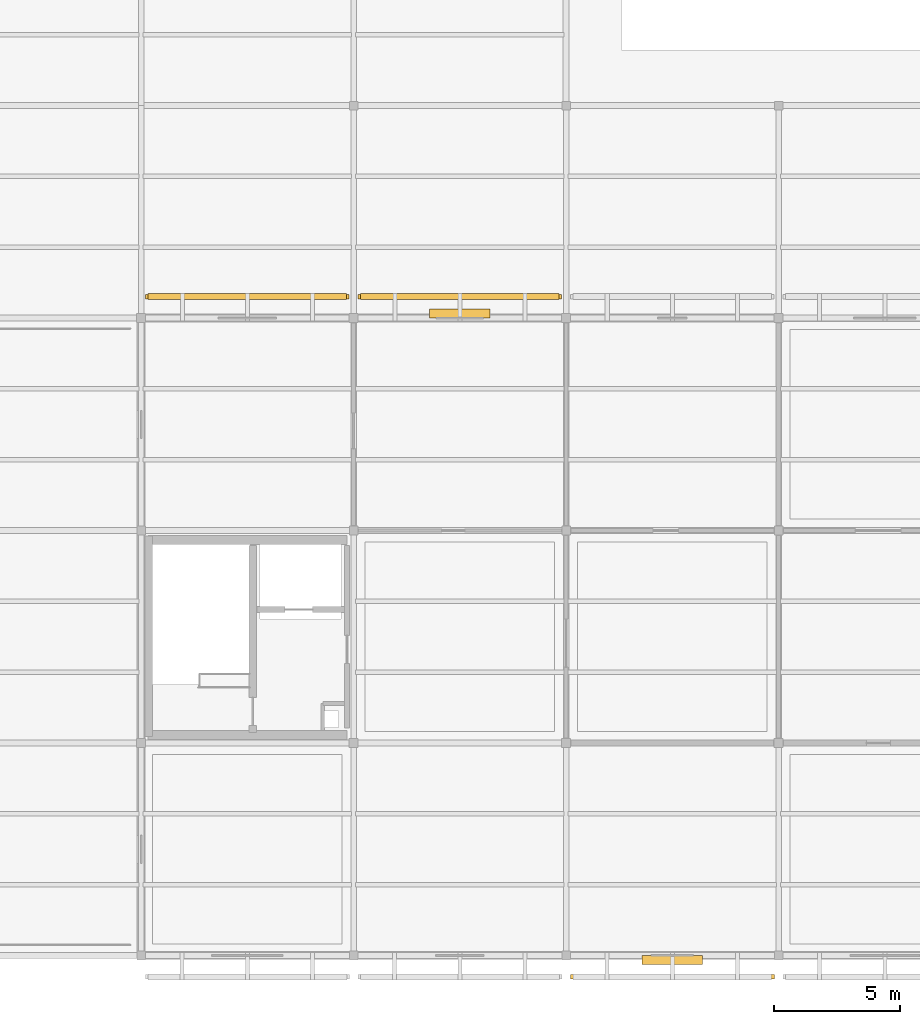
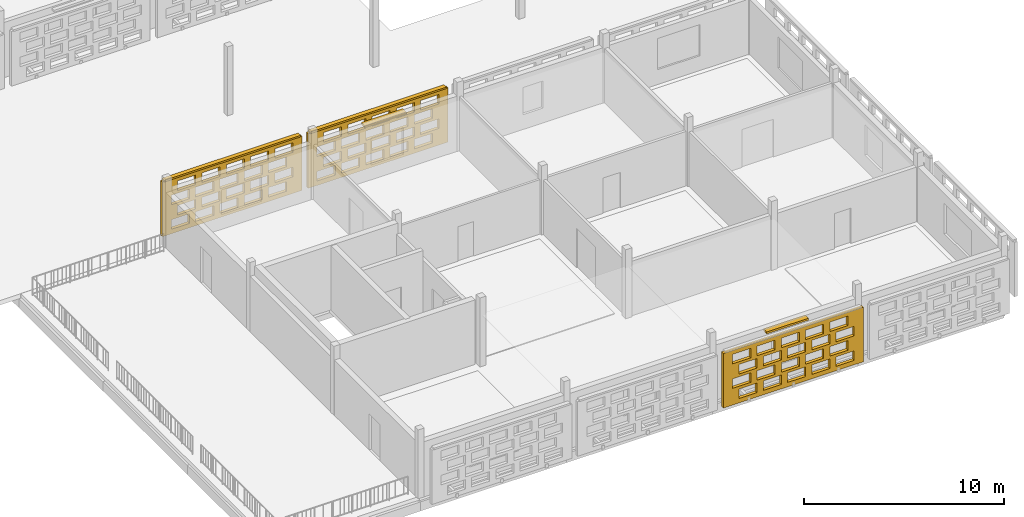
# One storey, part 81 of 103: 4 shading devices, 3 coverings, 60 openings.
"""IFC4 building model written with IfcOpenShell, lengths in metres."""

from ifc_helpers import new_model, si_unit, direction, frame, frame_2d, origin, origin_2d, place, context, subcontext, project, spatial, rectangle, extrude, material, layer, layer_set, type_object, element, save


model = new_model("IFC4")

# Units and contexts
model_context = context("Model", 3, precision=1e-05, world=origin(), true_north=direction((0.0, 1.0)))
body_context = subcontext(model_context, "Body", "Model", "MODEL_VIEW")
ifc_project = project(units=[si_unit("LENGTHUNIT", "METRE"), si_unit("AREAUNIT", "SQUARE_METRE"), si_unit("VOLUMEUNIT", "CUBIC_METRE"), si_unit("PLANEANGLEUNIT", "RADIAN"), si_unit("MASSUNIT", "GRAM", prefix="KILO")], contexts=[model_context])

# Site, building, storey
site_placement = place(None, origin())
site = spatial("IfcSite", under=ifc_project, at=site_placement, CompositionType="ELEMENT")
building_placement = place(site_placement, origin())
building = spatial("IfcBuilding", under=site, at=building_placement, Name="Varnapada Polytechnic", CompositionType="ELEMENT")
storey_placement = place(building_placement, frame((0.0, 0.0, 18.0)))
storey = spatial("IfcBuildingStorey", under=building, at=storey_placement, Name="L04", CompositionType="ELEMENT", Elevation=18.0)

# Shading devices
ifc_material_1 = material(Name="Anodised aluminium", Category="aluminium")
ifc_layer_1 = layer(ifc_material_1, 0.35009765625)
ifc_layer_set_1 = layer_set([ifc_layer_1], Name="Anodised aluminium")
shading_device_type_1 = type_object("IfcShadingDeviceType", Name="Solar Louvre LVR-01", PredefinedType="JALOUSIE", material=ifc_layer_set_1)
for number, where, z_axis, x_axis, name in (
    (1, (29.39990234375, 33.780029296875, 3.159912109375), (0.0, 0.0, 1.0), (1.0, 0.0, 0.0), "L04 aluminium sun louvre 22"),
    (2, (37.800048828125, 8.219970703125, 3.159912109375), (0.0, 0.0, 1.0), (-1.0, 0.0, 0.0), "L04 aluminium sun louvre 34"),
):
    element("IfcShadingDevice", number, at=place(storey_placement, frame(where, z_axis=z_axis, x_axis=x_axis)), inside=storey, type_object=shading_device_type_1, Name=name, PredefinedType="JALOUSIE", context=body_context, shape_type="SweptSolid", body=[
        extrude(rectangle(XDim=2.39990234375, YDim=0.340087890625, at=origin_2d()), origin(), (0.0, 0.0, 1.0), 0.1201171875),
    ])

# Covering, openings
ifc_material_2 = material(Name="Earth-toned architectural terracotta screen block", Category="masonry")
ifc_layer_2 = layer(ifc_material_2, 0.1201171875)
ifc_layer_set_2 = layer_set([ifc_layer_2], Name="Earth-toned architectural terracotta screen block")
covering_type = type_object("IfcCoveringType", Name="Terracotta Screen Cladding CLD-01", PredefinedType="CLADDING", material=ifc_layer_set_2)
covering_1_placement = place(storey_placement, frame((16.97998046875, 34.449951171875, 0.0), z_axis=(0.0, 0.0, 1.0), x_axis=(1.0, 0.0, 0.0)))
covering_1 = element("IfcCovering", 3, at=covering_1_placement, inside=storey, type_object=covering_type, Name="L04 perforated terracotta block screen (17)", PredefinedType="CLADDING", context=body_context, shape_type="SweptSolid", body=[
    extrude(rectangle(XDim=8.0400390625, YDim=0.179931640625, at=frame_2d((4.02001953125, 0.0))), origin(), (0.0, 0.0, 1.0), 3.320068359375),
])
opening_1_placement = place(covering_1_placement, frame((0.52001953125, 0.0, 0.265625)))
element("IfcOpeningElement", 4, at=opening_1_placement, cuts=covering_1, Name="Screen perforation TBS-L04-016.1", PredefinedType="OPENING", context=body_context, shape_type="SweptSolid", body=[
    extrude(rectangle(XDim=1.0400390625, YDim=0.5810546875, at=frame_2d((0.52001953125, 0.29052734375))), frame((0.0, 0.099853515625, 0.0), z_axis=(0.0, -1.0, 0.0), x_axis=(1.0, 0.0, 0.0)), (0.0, 0.0, 1.0), 0.199951171875),
])
opening_2_placement = place(covering_1_placement, frame((1.919921875, 0.0, 0.265625)))
element("IfcOpeningElement", 5, at=opening_2_placement, cuts=covering_1, Name="Screen perforation TBS-L04-016.2", PredefinedType="OPENING", context=body_context, shape_type="SweptSolid", body=[
    extrude(rectangle(XDim=1.0400390625, YDim=0.5810546875, at=frame_2d((0.52001953125, 0.29052734375))), frame((0.0, 0.099853515625, 0.0), z_axis=(0.0, -1.0, 0.0), x_axis=(1.0, 0.0, 0.0)), (0.0, 0.0, 1.0), 0.199951171875),
])
opening_3_placement = place(covering_1_placement, frame((3.320068359375, 0.0, 0.265625)))
element("IfcOpeningElement", 6, at=opening_3_placement, cuts=covering_1, Name="Screen perforation TBS-L04-016.3", PredefinedType="OPENING", context=body_context, shape_type="SweptSolid", body=[
    extrude(rectangle(XDim=1.0400390625, YDim=0.5810546875, at=frame_2d((0.52001953125, 0.29052734375))), frame((0.0, 0.099853515625, 0.0), z_axis=(0.0, -1.0, 0.0), x_axis=(1.0, 0.0, 0.0)), (0.0, 0.0, 1.0), 0.199951171875),
])
opening_4_placement = place(covering_1_placement, frame((4.719970703125, 0.0, 0.265625)))
element("IfcOpeningElement", 7, at=opening_4_placement, cuts=covering_1, Name="Screen perforation TBS-L04-016.4", PredefinedType="OPENING", context=body_context, shape_type="SweptSolid", body=[
    extrude(rectangle(XDim=1.0400390625, YDim=0.5810546875, at=frame_2d((0.52001953125, 0.29052734375))), frame((0.0, 0.099853515625, 0.0), z_axis=(0.0, -1.0, 0.0), x_axis=(1.0, 0.0, 0.0)), (0.0, 0.0, 1.0), 0.199951171875),
])
opening_5_placement = place(covering_1_placement, frame((6.1201171875, 0.0, 0.265625)))
element("IfcOpeningElement", 8, at=opening_5_placement, cuts=covering_1, Name="Screen perforation TBS-L04-016.5", PredefinedType="OPENING", context=body_context, shape_type="SweptSolid", body=[
    extrude(rectangle(XDim=1.0400390625, YDim=0.5810546875, at=frame_2d((0.52001953125, 0.29052734375))), frame((0.0, 0.099853515625, 0.0), z_axis=(0.0, -1.0, 0.0), x_axis=(1.0, 0.0, 0.0)), (0.0, 0.0, 1.0), 0.199951171875),
])
opening_6_placement = place(covering_1_placement, frame((0.8798828125, 0.0, 1.0126953125)))
element("IfcOpeningElement", 9, at=opening_6_placement, cuts=covering_1, Name="Screen perforation TBS-L04-016.6", PredefinedType="OPENING", context=body_context, shape_type="SweptSolid", body=[
    extrude(rectangle(XDim=1.0400390625, YDim=0.5810546875, at=frame_2d((0.52001953125, 0.29052734375))), frame((0.0, 0.099853515625, 0.0), z_axis=(0.0, -1.0, 0.0), x_axis=(1.0, 0.0, 0.0)), (0.0, 0.0, 1.0), 0.199951171875),
])
opening_7_placement = place(covering_1_placement, frame((2.280029296875, 0.0, 1.0126953125)))
element("IfcOpeningElement", 10, at=opening_7_placement, cuts=covering_1, Name="Screen perforation TBS-L04-016.7", PredefinedType="OPENING", context=body_context, shape_type="SweptSolid", body=[
    extrude(rectangle(XDim=1.0400390625, YDim=0.5810546875, at=frame_2d((0.52001953125, 0.29052734375))), frame((0.0, 0.099853515625, 0.0), z_axis=(0.0, -1.0, 0.0), x_axis=(1.0, 0.0, 0.0)), (0.0, 0.0, 1.0), 0.199951171875),
])
opening_8_placement = place(covering_1_placement, frame((3.679931640625, 0.0, 1.0126953125)))
element("IfcOpeningElement", 11, at=opening_8_placement, cuts=covering_1, Name="Screen perforation TBS-L04-016.8", PredefinedType="OPENING", context=body_context, shape_type="SweptSolid", body=[
    extrude(rectangle(XDim=1.0400390625, YDim=0.5810546875, at=frame_2d((0.52001953125, 0.29052734375))), frame((0.0, 0.099853515625, 0.0), z_axis=(0.0, -1.0, 0.0), x_axis=(1.0, 0.0, 0.0)), (0.0, 0.0, 1.0), 0.199951171875),
])
opening_9_placement = place(covering_1_placement, frame((5.080078125, 0.0, 1.0126953125)))
element("IfcOpeningElement", 12, at=opening_9_placement, cuts=covering_1, Name="Screen perforation TBS-L04-016.9", PredefinedType="OPENING", context=body_context, shape_type="SweptSolid", body=[
    extrude(rectangle(XDim=1.0400390625, YDim=0.5810546875, at=frame_2d((0.52001953125, 0.29052734375))), frame((0.0, 0.099853515625, 0.0), z_axis=(0.0, -1.0, 0.0), x_axis=(1.0, 0.0, 0.0)), (0.0, 0.0, 1.0), 0.199951171875),
])
opening_10_placement = place(covering_1_placement, frame((6.47998046875, 0.0, 1.0126953125)))
element("IfcOpeningElement", 13, at=opening_10_placement, cuts=covering_1, Name="Screen perforation TBS-L04-016.10", PredefinedType="OPENING", context=body_context, shape_type="SweptSolid", body=[
    extrude(rectangle(XDim=1.0400390625, YDim=0.5810546875, at=frame_2d((0.52001953125, 0.29052734375))), frame((0.0, 0.099853515625, 0.0), z_axis=(0.0, -1.0, 0.0), x_axis=(1.0, 0.0, 0.0)), (0.0, 0.0, 1.0), 0.199951171875),
])
opening_11_placement = place(covering_1_placement, frame((0.52001953125, 0.0, 1.759521484375)))
element("IfcOpeningElement", 14, at=opening_11_placement, cuts=covering_1, Name="Screen perforation TBS-L04-016.11", PredefinedType="OPENING", context=body_context, shape_type="SweptSolid", body=[
    extrude(rectangle(XDim=1.0400390625, YDim=0.5810546875, at=frame_2d((0.52001953125, 0.29052734375))), frame((0.0, 0.099853515625, 0.0), z_axis=(0.0, -1.0, 0.0), x_axis=(1.0, 0.0, 0.0)), (0.0, 0.0, 1.0), 0.199951171875),
])
opening_12_placement = place(covering_1_placement, frame((1.919921875, 0.0, 1.759521484375)))
element("IfcOpeningElement", 15, at=opening_12_placement, cuts=covering_1, Name="Screen perforation TBS-L04-016.12", PredefinedType="OPENING", context=body_context, shape_type="SweptSolid", body=[
    extrude(rectangle(XDim=1.0400390625, YDim=0.5810546875, at=frame_2d((0.52001953125, 0.29052734375))), frame((0.0, 0.099853515625, 0.0), z_axis=(0.0, -1.0, 0.0), x_axis=(1.0, 0.0, 0.0)), (0.0, 0.0, 1.0), 0.199951171875),
])
opening_13_placement = place(covering_1_placement, frame((3.320068359375, 0.0, 1.759521484375)))
element("IfcOpeningElement", 16, at=opening_13_placement, cuts=covering_1, Name="Screen perforation TBS-L04-016.13", PredefinedType="OPENING", context=body_context, shape_type="SweptSolid", body=[
    extrude(rectangle(XDim=1.0400390625, YDim=0.5810546875, at=frame_2d((0.52001953125, 0.29052734375))), frame((0.0, 0.099853515625, 0.0), z_axis=(0.0, -1.0, 0.0), x_axis=(1.0, 0.0, 0.0)), (0.0, 0.0, 1.0), 0.199951171875),
])
opening_14_placement = place(covering_1_placement, frame((4.719970703125, 0.0, 1.759521484375)))
element("IfcOpeningElement", 17, at=opening_14_placement, cuts=covering_1, Name="Screen perforation TBS-L04-016.14", PredefinedType="OPENING", context=body_context, shape_type="SweptSolid", body=[
    extrude(rectangle(XDim=1.0400390625, YDim=0.5810546875, at=frame_2d((0.52001953125, 0.29052734375))), frame((0.0, 0.099853515625, 0.0), z_axis=(0.0, -1.0, 0.0), x_axis=(1.0, 0.0, 0.0)), (0.0, 0.0, 1.0), 0.199951171875),
])
opening_15_placement = place(covering_1_placement, frame((6.1201171875, 0.0, 1.759521484375)))
element("IfcOpeningElement", 18, at=opening_15_placement, cuts=covering_1, Name="Screen perforation TBS-L04-016.15", PredefinedType="OPENING", context=body_context, shape_type="SweptSolid", body=[
    extrude(rectangle(XDim=1.0400390625, YDim=0.5810546875, at=frame_2d((0.52001953125, 0.29052734375))), frame((0.0, 0.099853515625, 0.0), z_axis=(0.0, -1.0, 0.0), x_axis=(1.0, 0.0, 0.0)), (0.0, 0.0, 1.0), 0.199951171875),
])
opening_16_placement = place(covering_1_placement, frame((0.8798828125, 0.0, 2.506591796875)))
element("IfcOpeningElement", 19, at=opening_16_placement, cuts=covering_1, Name="Screen perforation TBS-L04-016.16", PredefinedType="OPENING", context=body_context, shape_type="SweptSolid", body=[
    extrude(rectangle(XDim=1.0400390625, YDim=0.5810546875, at=frame_2d((0.52001953125, 0.29052734375))), frame((0.0, 0.099853515625, 0.0), z_axis=(0.0, -1.0, 0.0), x_axis=(1.0, 0.0, 0.0)), (0.0, 0.0, 1.0), 0.199951171875),
])
opening_17_placement = place(covering_1_placement, frame((2.280029296875, 0.0, 2.506591796875)))
element("IfcOpeningElement", 20, at=opening_17_placement, cuts=covering_1, Name="Screen perforation TBS-L04-016.17", PredefinedType="OPENING", context=body_context, shape_type="SweptSolid", body=[
    extrude(rectangle(XDim=1.0400390625, YDim=0.5810546875, at=frame_2d((0.52001953125, 0.29052734375))), frame((0.0, 0.099853515625, 0.0), z_axis=(0.0, -1.0, 0.0), x_axis=(1.0, 0.0, 0.0)), (0.0, 0.0, 1.0), 0.199951171875),
])
opening_18_placement = place(covering_1_placement, frame((3.679931640625, 0.0, 2.506591796875)))
element("IfcOpeningElement", 21, at=opening_18_placement, cuts=covering_1, Name="Screen perforation TBS-L04-016.18", PredefinedType="OPENING", context=body_context, shape_type="SweptSolid", body=[
    extrude(rectangle(XDim=1.0400390625, YDim=0.5810546875, at=frame_2d((0.52001953125, 0.29052734375))), frame((0.0, 0.099853515625, 0.0), z_axis=(0.0, -1.0, 0.0), x_axis=(1.0, 0.0, 0.0)), (0.0, 0.0, 1.0), 0.199951171875),
])
opening_19_placement = place(covering_1_placement, frame((5.080078125, 0.0, 2.506591796875)))
element("IfcOpeningElement", 22, at=opening_19_placement, cuts=covering_1, Name="Screen perforation TBS-L04-016.19", PredefinedType="OPENING", context=body_context, shape_type="SweptSolid", body=[
    extrude(rectangle(XDim=1.0400390625, YDim=0.5810546875, at=frame_2d((0.52001953125, 0.29052734375))), frame((0.0, 0.099853515625, 0.0), z_axis=(0.0, -1.0, 0.0), x_axis=(1.0, 0.0, 0.0)), (0.0, 0.0, 1.0), 0.199951171875),
])
opening_20_placement = place(covering_1_placement, frame((6.47998046875, 0.0, 2.506591796875)))
element("IfcOpeningElement", 23, at=opening_20_placement, cuts=covering_1, Name="Screen perforation TBS-L04-016.20", PredefinedType="OPENING", context=body_context, shape_type="SweptSolid", body=[
    extrude(rectangle(XDim=1.0400390625, YDim=0.5810546875, at=frame_2d((0.52001953125, 0.29052734375))), frame((0.0, 0.099853515625, 0.0), z_axis=(0.0, -1.0, 0.0), x_axis=(1.0, 0.0, 0.0)), (0.0, 0.0, 1.0), 0.199951171875),
])

covering_2_placement = place(storey_placement, frame((25.3798828125, 34.449951171875, 0.0), z_axis=(0.0, 0.0, 1.0), x_axis=(1.0, 0.0, 0.0)))
covering_2 = element("IfcCovering", 24, at=covering_2_placement, inside=storey, type_object=covering_type, Name="L04 perforated terracotta block screen (22)", PredefinedType="CLADDING", context=body_context, shape_type="SweptSolid", body=[
    extrude(rectangle(XDim=8.0400390625, YDim=0.179931640625, at=frame_2d((4.02001953125, 0.0))), origin(), (0.0, 0.0, 1.0), 3.320068359375),
])
opening_21_placement = place(covering_2_placement, frame((0.52001953125, 0.0, 0.265625)))
element("IfcOpeningElement", 25, at=opening_21_placement, cuts=covering_2, Name="Screen perforation TBS-L04-021.1", PredefinedType="OPENING", context=body_context, shape_type="SweptSolid", body=[
    extrude(rectangle(XDim=1.0400390625, YDim=0.5810546875, at=frame_2d((0.52001953125, 0.29052734375))), frame((0.0, 0.099853515625, 0.0), z_axis=(0.0, -1.0, 0.0), x_axis=(1.0, 0.0, 0.0)), (0.0, 0.0, 1.0), 0.199951171875),
])
opening_22_placement = place(covering_2_placement, frame((1.919921875, 0.0, 0.265625)))
element("IfcOpeningElement", 26, at=opening_22_placement, cuts=covering_2, Name="Screen perforation TBS-L04-021.2", PredefinedType="OPENING", context=body_context, shape_type="SweptSolid", body=[
    extrude(rectangle(XDim=1.0400390625, YDim=0.5810546875, at=frame_2d((0.52001953125, 0.29052734375))), frame((0.0, 0.099853515625, 0.0), z_axis=(0.0, -1.0, 0.0), x_axis=(1.0, 0.0, 0.0)), (0.0, 0.0, 1.0), 0.199951171875),
])
opening_23_placement = place(covering_2_placement, frame((3.320068359375, 0.0, 0.265625)))
element("IfcOpeningElement", 27, at=opening_23_placement, cuts=covering_2, Name="Screen perforation TBS-L04-021.3", PredefinedType="OPENING", context=body_context, shape_type="SweptSolid", body=[
    extrude(rectangle(XDim=1.0400390625, YDim=0.5810546875, at=frame_2d((0.52001953125, 0.29052734375))), frame((0.0, 0.099853515625, 0.0), z_axis=(0.0, -1.0, 0.0), x_axis=(1.0, 0.0, 0.0)), (0.0, 0.0, 1.0), 0.199951171875),
])
opening_24_placement = place(covering_2_placement, frame((4.719970703125, 0.0, 0.265625)))
element("IfcOpeningElement", 28, at=opening_24_placement, cuts=covering_2, Name="Screen perforation TBS-L04-021.4", PredefinedType="OPENING", context=body_context, shape_type="SweptSolid", body=[
    extrude(rectangle(XDim=1.0400390625, YDim=0.5810546875, at=frame_2d((0.52001953125, 0.29052734375))), frame((0.0, 0.099853515625, 0.0), z_axis=(0.0, -1.0, 0.0), x_axis=(1.0, 0.0, 0.0)), (0.0, 0.0, 1.0), 0.199951171875),
])
opening_25_placement = place(covering_2_placement, frame((6.1201171875, 0.0, 0.265625)))
element("IfcOpeningElement", 29, at=opening_25_placement, cuts=covering_2, Name="Screen perforation TBS-L04-021.5", PredefinedType="OPENING", context=body_context, shape_type="SweptSolid", body=[
    extrude(rectangle(XDim=1.0400390625, YDim=0.5810546875, at=frame_2d((0.52001953125, 0.29052734375))), frame((0.0, 0.099853515625, 0.0), z_axis=(0.0, -1.0, 0.0), x_axis=(1.0, 0.0, 0.0)), (0.0, 0.0, 1.0), 0.199951171875),
])
opening_26_placement = place(covering_2_placement, frame((0.8798828125, 0.0, 1.0126953125)))
element("IfcOpeningElement", 30, at=opening_26_placement, cuts=covering_2, Name="Screen perforation TBS-L04-021.6", PredefinedType="OPENING", context=body_context, shape_type="SweptSolid", body=[
    extrude(rectangle(XDim=1.0400390625, YDim=0.5810546875, at=frame_2d((0.52001953125, 0.29052734375))), frame((0.0, 0.099853515625, 0.0), z_axis=(0.0, -1.0, 0.0), x_axis=(1.0, 0.0, 0.0)), (0.0, 0.0, 1.0), 0.199951171875),
])
opening_27_placement = place(covering_2_placement, frame((2.280029296875, 0.0, 1.0126953125)))
element("IfcOpeningElement", 31, at=opening_27_placement, cuts=covering_2, Name="Screen perforation TBS-L04-021.7", PredefinedType="OPENING", context=body_context, shape_type="SweptSolid", body=[
    extrude(rectangle(XDim=1.0400390625, YDim=0.5810546875, at=frame_2d((0.52001953125, 0.29052734375))), frame((0.0, 0.099853515625, 0.0), z_axis=(0.0, -1.0, 0.0), x_axis=(1.0, 0.0, 0.0)), (0.0, 0.0, 1.0), 0.199951171875),
])
opening_28_placement = place(covering_2_placement, frame((3.679931640625, 0.0, 1.0126953125)))
element("IfcOpeningElement", 32, at=opening_28_placement, cuts=covering_2, Name="Screen perforation TBS-L04-021.8", PredefinedType="OPENING", context=body_context, shape_type="SweptSolid", body=[
    extrude(rectangle(XDim=1.0400390625, YDim=0.5810546875, at=frame_2d((0.52001953125, 0.29052734375))), frame((0.0, 0.099853515625, 0.0), z_axis=(0.0, -1.0, 0.0), x_axis=(1.0, 0.0, 0.0)), (0.0, 0.0, 1.0), 0.199951171875),
])
opening_29_placement = place(covering_2_placement, frame((5.080078125, 0.0, 1.0126953125)))
element("IfcOpeningElement", 33, at=opening_29_placement, cuts=covering_2, Name="Screen perforation TBS-L04-021.9", PredefinedType="OPENING", context=body_context, shape_type="SweptSolid", body=[
    extrude(rectangle(XDim=1.0400390625, YDim=0.5810546875, at=frame_2d((0.52001953125, 0.29052734375))), frame((0.0, 0.099853515625, 0.0), z_axis=(0.0, -1.0, 0.0), x_axis=(1.0, 0.0, 0.0)), (0.0, 0.0, 1.0), 0.199951171875),
])
opening_30_placement = place(covering_2_placement, frame((6.47998046875, 0.0, 1.0126953125)))
element("IfcOpeningElement", 34, at=opening_30_placement, cuts=covering_2, Name="Screen perforation TBS-L04-021.10", PredefinedType="OPENING", context=body_context, shape_type="SweptSolid", body=[
    extrude(rectangle(XDim=1.0400390625, YDim=0.5810546875, at=frame_2d((0.52001953125, 0.29052734375))), frame((0.0, 0.099853515625, 0.0), z_axis=(0.0, -1.0, 0.0), x_axis=(1.0, 0.0, 0.0)), (0.0, 0.0, 1.0), 0.199951171875),
])
opening_31_placement = place(covering_2_placement, frame((0.52001953125, 0.0, 1.759521484375)))
element("IfcOpeningElement", 35, at=opening_31_placement, cuts=covering_2, Name="Screen perforation TBS-L04-021.11", PredefinedType="OPENING", context=body_context, shape_type="SweptSolid", body=[
    extrude(rectangle(XDim=1.0400390625, YDim=0.5810546875, at=frame_2d((0.52001953125, 0.29052734375))), frame((0.0, 0.099853515625, 0.0), z_axis=(0.0, -1.0, 0.0), x_axis=(1.0, 0.0, 0.0)), (0.0, 0.0, 1.0), 0.199951171875),
])
opening_32_placement = place(covering_2_placement, frame((1.919921875, 0.0, 1.759521484375)))
element("IfcOpeningElement", 36, at=opening_32_placement, cuts=covering_2, Name="Screen perforation TBS-L04-021.12", PredefinedType="OPENING", context=body_context, shape_type="SweptSolid", body=[
    extrude(rectangle(XDim=1.0400390625, YDim=0.5810546875, at=frame_2d((0.52001953125, 0.29052734375))), frame((0.0, 0.099853515625, 0.0), z_axis=(0.0, -1.0, 0.0), x_axis=(1.0, 0.0, 0.0)), (0.0, 0.0, 1.0), 0.199951171875),
])
opening_33_placement = place(covering_2_placement, frame((3.320068359375, 0.0, 1.759521484375)))
element("IfcOpeningElement", 37, at=opening_33_placement, cuts=covering_2, Name="Screen perforation TBS-L04-021.13", PredefinedType="OPENING", context=body_context, shape_type="SweptSolid", body=[
    extrude(rectangle(XDim=1.0400390625, YDim=0.5810546875, at=frame_2d((0.52001953125, 0.29052734375))), frame((0.0, 0.099853515625, 0.0), z_axis=(0.0, -1.0, 0.0), x_axis=(1.0, 0.0, 0.0)), (0.0, 0.0, 1.0), 0.199951171875),
])
opening_34_placement = place(covering_2_placement, frame((4.719970703125, 0.0, 1.759521484375)))
element("IfcOpeningElement", 38, at=opening_34_placement, cuts=covering_2, Name="Screen perforation TBS-L04-021.14", PredefinedType="OPENING", context=body_context, shape_type="SweptSolid", body=[
    extrude(rectangle(XDim=1.0400390625, YDim=0.5810546875, at=frame_2d((0.52001953125, 0.29052734375))), frame((0.0, 0.099853515625, 0.0), z_axis=(0.0, -1.0, 0.0), x_axis=(1.0, 0.0, 0.0)), (0.0, 0.0, 1.0), 0.199951171875),
])
opening_35_placement = place(covering_2_placement, frame((6.1201171875, 0.0, 1.759521484375)))
element("IfcOpeningElement", 39, at=opening_35_placement, cuts=covering_2, Name="Screen perforation TBS-L04-021.15", PredefinedType="OPENING", context=body_context, shape_type="SweptSolid", body=[
    extrude(rectangle(XDim=1.0400390625, YDim=0.5810546875, at=frame_2d((0.52001953125, 0.29052734375))), frame((0.0, 0.099853515625, 0.0), z_axis=(0.0, -1.0, 0.0), x_axis=(1.0, 0.0, 0.0)), (0.0, 0.0, 1.0), 0.199951171875),
])
opening_36_placement = place(covering_2_placement, frame((0.8798828125, 0.0, 2.506591796875)))
element("IfcOpeningElement", 40, at=opening_36_placement, cuts=covering_2, Name="Screen perforation TBS-L04-021.16", PredefinedType="OPENING", context=body_context, shape_type="SweptSolid", body=[
    extrude(rectangle(XDim=1.0400390625, YDim=0.5810546875, at=frame_2d((0.52001953125, 0.29052734375))), frame((0.0, 0.099853515625, 0.0), z_axis=(0.0, -1.0, 0.0), x_axis=(1.0, 0.0, 0.0)), (0.0, 0.0, 1.0), 0.199951171875),
])
opening_37_placement = place(covering_2_placement, frame((2.280029296875, 0.0, 2.506591796875)))
element("IfcOpeningElement", 41, at=opening_37_placement, cuts=covering_2, Name="Screen perforation TBS-L04-021.17", PredefinedType="OPENING", context=body_context, shape_type="SweptSolid", body=[
    extrude(rectangle(XDim=1.0400390625, YDim=0.5810546875, at=frame_2d((0.52001953125, 0.29052734375))), frame((0.0, 0.099853515625, 0.0), z_axis=(0.0, -1.0, 0.0), x_axis=(1.0, 0.0, 0.0)), (0.0, 0.0, 1.0), 0.199951171875),
])
opening_38_placement = place(covering_2_placement, frame((3.679931640625, 0.0, 2.506591796875)))
element("IfcOpeningElement", 42, at=opening_38_placement, cuts=covering_2, Name="Screen perforation TBS-L04-021.18", PredefinedType="OPENING", context=body_context, shape_type="SweptSolid", body=[
    extrude(rectangle(XDim=1.0400390625, YDim=0.5810546875, at=frame_2d((0.52001953125, 0.29052734375))), frame((0.0, 0.099853515625, 0.0), z_axis=(0.0, -1.0, 0.0), x_axis=(1.0, 0.0, 0.0)), (0.0, 0.0, 1.0), 0.199951171875),
])
opening_39_placement = place(covering_2_placement, frame((5.080078125, 0.0, 2.506591796875)))
element("IfcOpeningElement", 43, at=opening_39_placement, cuts=covering_2, Name="Screen perforation TBS-L04-021.19", PredefinedType="OPENING", context=body_context, shape_type="SweptSolid", body=[
    extrude(rectangle(XDim=1.0400390625, YDim=0.5810546875, at=frame_2d((0.52001953125, 0.29052734375))), frame((0.0, 0.099853515625, 0.0), z_axis=(0.0, -1.0, 0.0), x_axis=(1.0, 0.0, 0.0)), (0.0, 0.0, 1.0), 0.199951171875),
])
opening_40_placement = place(covering_2_placement, frame((6.47998046875, 0.0, 2.506591796875)))
element("IfcOpeningElement", 44, at=opening_40_placement, cuts=covering_2, Name="Screen perforation TBS-L04-021.20", PredefinedType="OPENING", context=body_context, shape_type="SweptSolid", body=[
    extrude(rectangle(XDim=1.0400390625, YDim=0.5810546875, at=frame_2d((0.52001953125, 0.29052734375))), frame((0.0, 0.099853515625, 0.0), z_axis=(0.0, -1.0, 0.0), x_axis=(1.0, 0.0, 0.0)), (0.0, 0.0, 1.0), 0.199951171875),
])

covering_3_placement = place(storey_placement, frame((41.830078125, 7.550048828125, 0.0), z_axis=(0.0, 0.0, 1.0), x_axis=(-1.0, 0.0, 0.0)))
covering_3 = element("IfcCovering", 45, at=covering_3_placement, inside=storey, type_object=covering_type, Name="L04 perforated terracotta block screen (34)", PredefinedType="CLADDING", context=body_context, shape_type="SweptSolid", body=[
    extrude(rectangle(XDim=8.06005859375, YDim=0.179931640625, at=frame_2d((4.030029296875, 0.0))), origin(), (0.0, 0.0, 1.0), 3.320068359375),
])
opening_41_placement = place(covering_3_placement, frame((0.530029296875, 0.0, 0.265625)))
element("IfcOpeningElement", 46, at=opening_41_placement, cuts=covering_3, Name="Screen perforation TBS-L04-033.1", PredefinedType="OPENING", context=body_context, shape_type="SweptSolid", body=[
    extrude(rectangle(XDim=1.0400390625, YDim=0.5810546875, at=frame_2d((0.52001953125, 0.29052734375))), frame((0.0, 0.099853515625, 0.0), z_axis=(0.0, -1.0, 0.0), x_axis=(1.0, 0.0, 0.0)), (0.0, 0.0, 1.0), 0.199951171875),
])
opening_42_placement = place(covering_3_placement, frame((1.929931640625, 0.0, 0.265625)))
element("IfcOpeningElement", 47, at=opening_42_placement, cuts=covering_3, Name="Screen perforation TBS-L04-033.2", PredefinedType="OPENING", context=body_context, shape_type="SweptSolid", body=[
    extrude(rectangle(XDim=1.0400390625, YDim=0.5810546875, at=frame_2d((0.52001953125, 0.29052734375))), frame((0.0, 0.099853515625, 0.0), z_axis=(0.0, -1.0, 0.0), x_axis=(1.0, 0.0, 0.0)), (0.0, 0.0, 1.0), 0.199951171875),
])
opening_43_placement = place(covering_3_placement, frame((3.330078125, 0.0, 0.265625)))
element("IfcOpeningElement", 48, at=opening_43_placement, cuts=covering_3, Name="Screen perforation TBS-L04-033.3", PredefinedType="OPENING", context=body_context, shape_type="SweptSolid", body=[
    extrude(rectangle(XDim=1.0400390625, YDim=0.5810546875, at=frame_2d((0.52001953125, 0.29052734375))), frame((0.0, 0.099853515625, 0.0), z_axis=(0.0, -1.0, 0.0), x_axis=(1.0, 0.0, 0.0)), (0.0, 0.0, 1.0), 0.199951171875),
])
opening_44_placement = place(covering_3_placement, frame((4.72998046875, 0.0, 0.265625)))
element("IfcOpeningElement", 49, at=opening_44_placement, cuts=covering_3, Name="Screen perforation TBS-L04-033.4", PredefinedType="OPENING", context=body_context, shape_type="SweptSolid", body=[
    extrude(rectangle(XDim=1.0400390625, YDim=0.5810546875, at=frame_2d((0.52001953125, 0.29052734375))), frame((0.0, 0.099853515625, 0.0), z_axis=(0.0, -1.0, 0.0), x_axis=(1.0, 0.0, 0.0)), (0.0, 0.0, 1.0), 0.199951171875),
])
opening_45_placement = place(covering_3_placement, frame((6.1298828125, 0.0, 0.265625)))
element("IfcOpeningElement", 50, at=opening_45_placement, cuts=covering_3, Name="Screen perforation TBS-L04-033.5", PredefinedType="OPENING", context=body_context, shape_type="SweptSolid", body=[
    extrude(rectangle(XDim=1.0400390625, YDim=0.5810546875, at=frame_2d((0.52001953125, 0.29052734375))), frame((0.0, 0.099853515625, 0.0), z_axis=(0.0, -1.0, 0.0), x_axis=(1.0, 0.0, 0.0)), (0.0, 0.0, 1.0), 0.199951171875),
])
opening_46_placement = place(covering_3_placement, frame((0.889892578125, 0.0, 1.0126953125)))
element("IfcOpeningElement", 51, at=opening_46_placement, cuts=covering_3, Name="Screen perforation TBS-L04-033.6", PredefinedType="OPENING", context=body_context, shape_type="SweptSolid", body=[
    extrude(rectangle(XDim=1.0400390625, YDim=0.5810546875, at=frame_2d((0.52001953125, 0.29052734375))), frame((0.0, 0.099853515625, 0.0), z_axis=(0.0, -1.0, 0.0), x_axis=(1.0, 0.0, 0.0)), (0.0, 0.0, 1.0), 0.199951171875),
])
opening_47_placement = place(covering_3_placement, frame((2.2900390625, 0.0, 1.0126953125)))
element("IfcOpeningElement", 52, at=opening_47_placement, cuts=covering_3, Name="Screen perforation TBS-L04-033.7", PredefinedType="OPENING", context=body_context, shape_type="SweptSolid", body=[
    extrude(rectangle(XDim=1.0400390625, YDim=0.5810546875, at=frame_2d((0.52001953125, 0.29052734375))), frame((0.0, 0.099853515625, 0.0), z_axis=(0.0, -1.0, 0.0), x_axis=(1.0, 0.0, 0.0)), (0.0, 0.0, 1.0), 0.199951171875),
])
opening_48_placement = place(covering_3_placement, frame((3.68994140625, 0.0, 1.0126953125)))
element("IfcOpeningElement", 53, at=opening_48_placement, cuts=covering_3, Name="Screen perforation TBS-L04-033.8", PredefinedType="OPENING", context=body_context, shape_type="SweptSolid", body=[
    extrude(rectangle(XDim=1.0400390625, YDim=0.5810546875, at=frame_2d((0.52001953125, 0.29052734375))), frame((0.0, 0.099853515625, 0.0), z_axis=(0.0, -1.0, 0.0), x_axis=(1.0, 0.0, 0.0)), (0.0, 0.0, 1.0), 0.199951171875),
])
opening_49_placement = place(covering_3_placement, frame((5.090087890625, 0.0, 1.0126953125)))
element("IfcOpeningElement", 54, at=opening_49_placement, cuts=covering_3, Name="Screen perforation TBS-L04-033.9", PredefinedType="OPENING", context=body_context, shape_type="SweptSolid", body=[
    extrude(rectangle(XDim=1.0400390625, YDim=0.5810546875, at=frame_2d((0.52001953125, 0.29052734375))), frame((0.0, 0.099853515625, 0.0), z_axis=(0.0, -1.0, 0.0), x_axis=(1.0, 0.0, 0.0)), (0.0, 0.0, 1.0), 0.199951171875),
])
opening_50_placement = place(covering_3_placement, frame((6.489990234375, 0.0, 1.0126953125)))
element("IfcOpeningElement", 55, at=opening_50_placement, cuts=covering_3, Name="Screen perforation TBS-L04-033.10", PredefinedType="OPENING", context=body_context, shape_type="SweptSolid", body=[
    extrude(rectangle(XDim=1.0400390625, YDim=0.5810546875, at=frame_2d((0.52001953125, 0.29052734375))), frame((0.0, 0.099853515625, 0.0), z_axis=(0.0, -1.0, 0.0), x_axis=(1.0, 0.0, 0.0)), (0.0, 0.0, 1.0), 0.199951171875),
])
opening_51_placement = place(covering_3_placement, frame((0.530029296875, 0.0, 1.759521484375)))
element("IfcOpeningElement", 56, at=opening_51_placement, cuts=covering_3, Name="Screen perforation TBS-L04-033.11", PredefinedType="OPENING", context=body_context, shape_type="SweptSolid", body=[
    extrude(rectangle(XDim=1.0400390625, YDim=0.5810546875, at=frame_2d((0.52001953125, 0.29052734375))), frame((0.0, 0.099853515625, 0.0), z_axis=(0.0, -1.0, 0.0), x_axis=(1.0, 0.0, 0.0)), (0.0, 0.0, 1.0), 0.199951171875),
])
opening_52_placement = place(covering_3_placement, frame((1.929931640625, 0.0, 1.759521484375)))
element("IfcOpeningElement", 57, at=opening_52_placement, cuts=covering_3, Name="Screen perforation TBS-L04-033.12", PredefinedType="OPENING", context=body_context, shape_type="SweptSolid", body=[
    extrude(rectangle(XDim=1.0400390625, YDim=0.5810546875, at=frame_2d((0.52001953125, 0.29052734375))), frame((0.0, 0.099853515625, 0.0), z_axis=(0.0, -1.0, 0.0), x_axis=(1.0, 0.0, 0.0)), (0.0, 0.0, 1.0), 0.199951171875),
])
opening_53_placement = place(covering_3_placement, frame((3.330078125, 0.0, 1.759521484375)))
element("IfcOpeningElement", 58, at=opening_53_placement, cuts=covering_3, Name="Screen perforation TBS-L04-033.13", PredefinedType="OPENING", context=body_context, shape_type="SweptSolid", body=[
    extrude(rectangle(XDim=1.0400390625, YDim=0.5810546875, at=frame_2d((0.52001953125, 0.29052734375))), frame((0.0, 0.099853515625, 0.0), z_axis=(0.0, -1.0, 0.0), x_axis=(1.0, 0.0, 0.0)), (0.0, 0.0, 1.0), 0.199951171875),
])
opening_54_placement = place(covering_3_placement, frame((4.72998046875, 0.0, 1.759521484375)))
element("IfcOpeningElement", 59, at=opening_54_placement, cuts=covering_3, Name="Screen perforation TBS-L04-033.14", PredefinedType="OPENING", context=body_context, shape_type="SweptSolid", body=[
    extrude(rectangle(XDim=1.0400390625, YDim=0.5810546875, at=frame_2d((0.52001953125, 0.29052734375))), frame((0.0, 0.099853515625, 0.0), z_axis=(0.0, -1.0, 0.0), x_axis=(1.0, 0.0, 0.0)), (0.0, 0.0, 1.0), 0.199951171875),
])
opening_55_placement = place(covering_3_placement, frame((6.1298828125, 0.0, 1.759521484375)))
element("IfcOpeningElement", 60, at=opening_55_placement, cuts=covering_3, Name="Screen perforation TBS-L04-033.15", PredefinedType="OPENING", context=body_context, shape_type="SweptSolid", body=[
    extrude(rectangle(XDim=1.0400390625, YDim=0.5810546875, at=frame_2d((0.52001953125, 0.29052734375))), frame((0.0, 0.099853515625, 0.0), z_axis=(0.0, -1.0, 0.0), x_axis=(1.0, 0.0, 0.0)), (0.0, 0.0, 1.0), 0.199951171875),
])
opening_56_placement = place(covering_3_placement, frame((0.889892578125, 0.0, 2.506591796875)))
element("IfcOpeningElement", 61, at=opening_56_placement, cuts=covering_3, Name="Screen perforation TBS-L04-033.16", PredefinedType="OPENING", context=body_context, shape_type="SweptSolid", body=[
    extrude(rectangle(XDim=1.0400390625, YDim=0.5810546875, at=frame_2d((0.52001953125, 0.29052734375))), frame((0.0, 0.099853515625, 0.0), z_axis=(0.0, -1.0, 0.0), x_axis=(1.0, 0.0, 0.0)), (0.0, 0.0, 1.0), 0.199951171875),
])
opening_57_placement = place(covering_3_placement, frame((2.2900390625, 0.0, 2.506591796875)))
element("IfcOpeningElement", 62, at=opening_57_placement, cuts=covering_3, Name="Screen perforation TBS-L04-033.17", PredefinedType="OPENING", context=body_context, shape_type="SweptSolid", body=[
    extrude(rectangle(XDim=1.0400390625, YDim=0.5810546875, at=frame_2d((0.52001953125, 0.29052734375))), frame((0.0, 0.099853515625, 0.0), z_axis=(0.0, -1.0, 0.0), x_axis=(1.0, 0.0, 0.0)), (0.0, 0.0, 1.0), 0.199951171875),
])
opening_58_placement = place(covering_3_placement, frame((3.68994140625, 0.0, 2.506591796875)))
element("IfcOpeningElement", 63, at=opening_58_placement, cuts=covering_3, Name="Screen perforation TBS-L04-033.18", PredefinedType="OPENING", context=body_context, shape_type="SweptSolid", body=[
    extrude(rectangle(XDim=1.0400390625, YDim=0.5810546875, at=frame_2d((0.52001953125, 0.29052734375))), frame((0.0, 0.099853515625, 0.0), z_axis=(0.0, -1.0, 0.0), x_axis=(1.0, 0.0, 0.0)), (0.0, 0.0, 1.0), 0.199951171875),
])
opening_59_placement = place(covering_3_placement, frame((5.090087890625, 0.0, 2.506591796875)))
element("IfcOpeningElement", 64, at=opening_59_placement, cuts=covering_3, Name="Screen perforation TBS-L04-033.19", PredefinedType="OPENING", context=body_context, shape_type="SweptSolid", body=[
    extrude(rectangle(XDim=1.0400390625, YDim=0.5810546875, at=frame_2d((0.52001953125, 0.29052734375))), frame((0.0, 0.099853515625, 0.0), z_axis=(0.0, -1.0, 0.0), x_axis=(1.0, 0.0, 0.0)), (0.0, 0.0, 1.0), 0.199951171875),
])
opening_60_placement = place(covering_3_placement, frame((6.489990234375, 0.0, 2.506591796875)))
element("IfcOpeningElement", 65, at=opening_60_placement, cuts=covering_3, Name="Screen perforation TBS-L04-033.20", PredefinedType="OPENING", context=body_context, shape_type="SweptSolid", body=[
    extrude(rectangle(XDim=1.0400390625, YDim=0.5810546875, at=frame_2d((0.52001953125, 0.29052734375))), frame((0.0, 0.099853515625, 0.0), z_axis=(0.0, -1.0, 0.0), x_axis=(1.0, 0.0, 0.0)), (0.0, 0.0, 1.0), 0.199951171875),
])

# Shading devices
ifc_layer_3 = layer(ifc_material_2, 0.179931640625)
ifc_layer_set_3 = layer_set([ifc_layer_3], Name="Earth-toned architectural terracotta screen block")
shading_device_type_2 = type_object("IfcShadingDeviceType", Name="Terracotta Screen SCR-01", PredefinedType="USERDEFINED", material=ifc_layer_set_3)
for number, where, z_axis, x_axis, name in (
    (66, (21.0, 34.449951171875, 3.31005859375), (0.0, 0.0, 1.0), (1.0, 0.0, 0.0), "L04 perforated terracotta screen hood 437"),
    (67, (29.39990234375, 34.449951171875, 3.31005859375), (0.0, 0.0, 1.0), (1.0, 0.0, 0.0), "L04 perforated terracotta screen hood 441"),
):
    element("IfcShadingDevice", number, at=place(storey_placement, frame(where, z_axis=z_axis, x_axis=x_axis)), inside=storey, type_object=shading_device_type_2, Name=name, ObjectType="SCREEN", PredefinedType="USERDEFINED", context=body_context, shape_type="SweptSolid", body=[
        extrude(rectangle(XDim=7.840087890625, YDim=0.239990234375, at=origin_2d()), origin(), (0.0, 0.0, 1.0), 0.10009765625),
    ])

save(model, "model.ifc")
